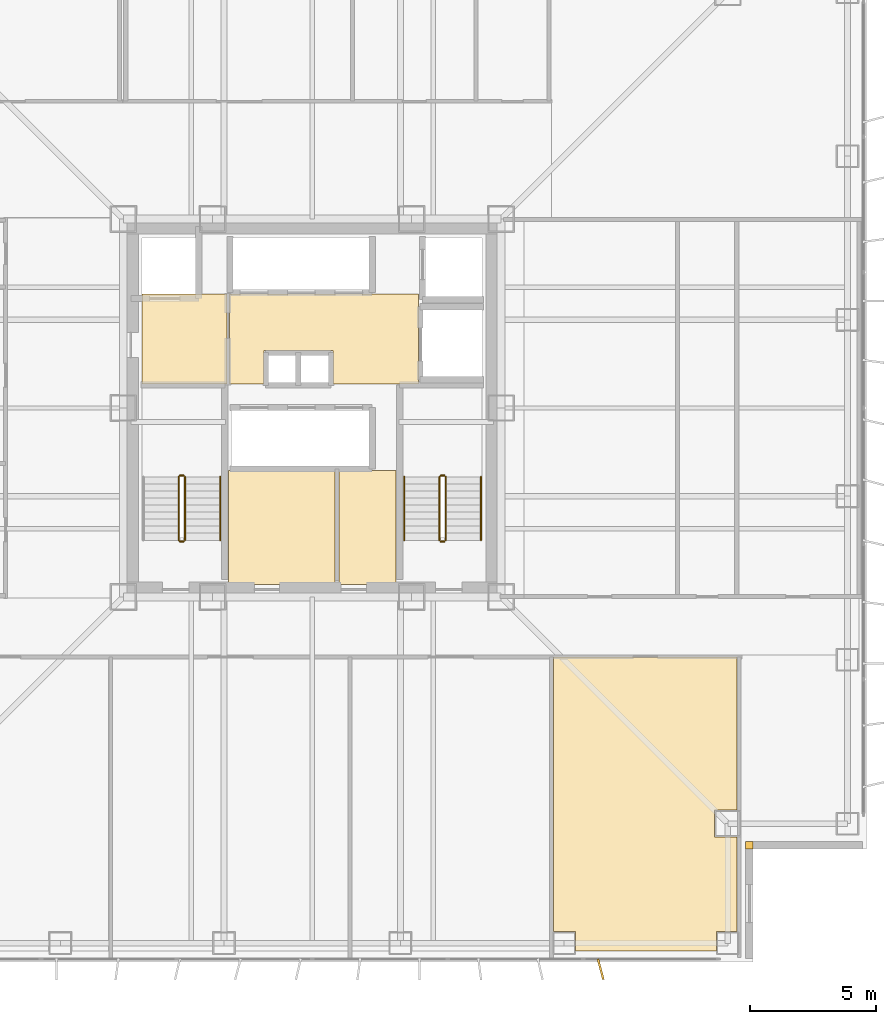
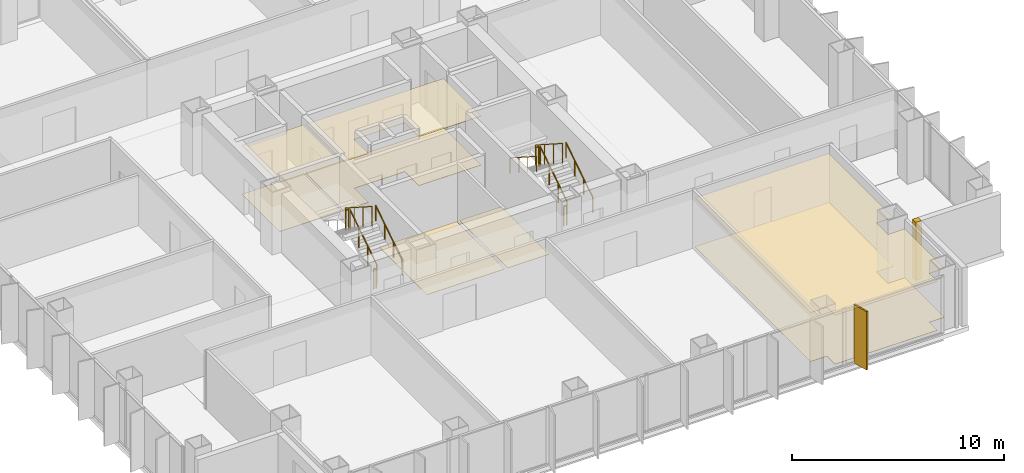
# One storey, part 13 of 14: 11 railings, 9 coverings, 1 shading device.
"""IFC4 building model written with IfcOpenShell, lengths in metres."""

from ifc_helpers import new_model, si_unit, direction, frame, origin, origin_2d, place, context, subcontext, project, spatial, polyline, rectangle, circle, outline, extrude, material, layer, layer_set, type_object, element, save


model = new_model("IFC4")

# Units and contexts
model_context = context("Model", 3, precision=1e-05, world=origin(), true_north=direction((0.0, 1.0)))
body_context = subcontext(model_context, "Body", "Model", "MODEL_VIEW")
ifc_project = project(units=[si_unit("LENGTHUNIT", "METRE"), si_unit("AREAUNIT", "SQUARE_METRE"), si_unit("VOLUMEUNIT", "CUBIC_METRE"), si_unit("PLANEANGLEUNIT", "RADIAN"), si_unit("MASSUNIT", "GRAM", prefix="KILO")], contexts=[model_context])

# Site, building, storey
site_placement = place(None, origin())
site = spatial("IfcSite", under=ifc_project, at=site_placement, CompositionType="ELEMENT")
building_placement = place(site_placement, origin())
building = spatial("IfcBuilding", under=site, at=building_placement, Name="Trevonay Congress Spire", CompositionType="ELEMENT")
storey_placement = place(building_placement, frame((0.0, 0.0, 137.199951171875)))
storey = spatial("IfcBuildingStorey", under=building, at=storey_placement, Name="L35", CompositionType="ELEMENT", Elevation=137.199951171875)

# Coverings
ifc_material_1 = material(Name="Acoustic Mineral Fibre Board", Category="gypsum")
ifc_layer_1 = layer(ifc_material_1, 0.02490234375, Name="Acoustic Mineral Fibre Board")
ifc_layer_set_1 = layer_set([ifc_layer_1], Name="Acoustic Mineral Fibre Board")
covering_type_1 = type_object("IfcCoveringType", Name="COV-CEIL-ACOUSTIC", PredefinedType="CEILING", material=ifc_layer_set_1)
covering_1_placement = place(storey_placement, frame((0.0, 0.0, 2.81005859375)))
element("IfcCovering", 1, at=covering_1_placement, inside=storey, type_object=covering_type_1, Name="L35 Firefighting Lift Lobby West acoustic suspended ceiling", PredefinedType="CEILING", context=body_context, shape_type="SweptSolid", body=[
    extrude(outline(polyline([(-6.75, 0.9599609375), (-3.3798828125, 0.9599609375), (-3.3798828125, 4.52001953125), (-6.75, 4.52001953125), (-6.75, 0.9599609375)])), origin(), (0.0, 0.0, 1.0), 0.02490234375),
])
covering_2_placement = place(storey_placement, frame((0.0, 0.0, 2.81005859375)))
element("IfcCovering", 2, at=covering_2_placement, inside=storey, type_object=covering_type_1, Name="L35 Central and High-Rise Passenger Lift Lobby acoustic suspended ceiling", PredefinedType="CEILING", context=body_context, shape_type="SweptSolid", body=[
    extrude(outline(polyline([(-3.280029296875, 0.949951171875), (-1.919921875, 0.949951171875), (-1.919921875, 2.280029296875), (0.820068359375, 2.280029296875), (0.820068359375, 0.949951171875), (4.219970703125, 0.949951171875), (4.219970703125, 4.52001953125), (-3.280029296875, 4.52001953125), (-3.280029296875, 0.949951171875)])), origin(), (0.0, 0.0, 1.0), 0.02490234375),
])
covering_3_placement = place(storey_placement, frame((0.0, 0.0, 2.81005859375)))
element("IfcCovering", 3, at=covering_3_placement, inside=storey, type_object=covering_type_1, Name="L35 Library Catalogue Office acoustic suspended ceiling", PredefinedType="CEILING", context=body_context, shape_type="SweptSolid", body=[
    extrude(outline(polyline([(10.4599609375, -21.550048828125), (10.4599609375, -20.7900390625), (9.580078125, -20.7900390625), (9.580078125, -9.8798828125), (16.8701171875, -9.8798828125), (16.8701171875, -15.965087890625), (15.965087890625, -15.965087890625), (15.965087890625, -17.034912109375), (16.8701171875, -17.034912109375), (16.8701171875, -20.7900390625), (16.0400390625, -20.7900390625), (16.0400390625, -21.550048828125), (10.4599609375, -21.550048828125)])), origin(), (0.0, 0.0, 1.0), 0.02490234375),
])
ifc_material_2 = material(Name="Polished Granite Floor Tile", Category="masonry")
ifc_layer_2 = layer(ifc_material_2, 0.02001953125, Name="Polished Granite Floor Tile")
ifc_layer_set_2 = layer_set([ifc_layer_2], Name="Polished Granite Floor Tile")
covering_type_2 = type_object("IfcCoveringType", Name="COV-FLOOR-STONE", PredefinedType="FLOORING", material=ifc_layer_set_2)
covering_4_placement = place(storey_placement, origin())
element("IfcCovering", 4, at=covering_4_placement, inside=storey, type_object=covering_type_2, Name="L35 Firefighting Lift Lobby West floor finish", PredefinedType="FLOORING", context=body_context, shape_type="SweptSolid", body=[
    extrude(outline(polyline([(-6.75, 0.9599609375), (-3.3798828125, 0.9599609375), (-3.3798828125, 4.52001953125), (-6.75, 4.52001953125), (-6.75, 0.9599609375)])), origin(), (0.0, 0.0, 1.0), 0.02001953125),
])
covering_5_placement = place(storey_placement, origin())
element("IfcCovering", 5, at=covering_5_placement, inside=storey, type_object=covering_type_2, Name="L35 Central and High-Rise Passenger Lift Lobby floor finish", PredefinedType="FLOORING", context=body_context, shape_type="SweptSolid", body=[
    extrude(outline(polyline([(-3.280029296875, 0.949951171875), (-1.919921875, 0.949951171875), (-1.919921875, 2.280029296875), (0.820068359375, 2.280029296875), (0.820068359375, 0.949951171875), (4.219970703125, 0.949951171875), (4.219970703125, 4.52001953125), (-3.280029296875, 4.52001953125), (-3.280029296875, 0.949951171875)])), origin(), (0.0, 0.0, 1.0), 0.02001953125),
])
covering_6_placement = place(storey_placement, origin())
element("IfcCovering", 6, at=covering_6_placement, inside=storey, type_object=covering_type_2, Name="L35 Translation Equipment Hub floor finish", PredefinedType="FLOORING", context=body_context, shape_type="SweptSolid", body=[
    extrude(outline(polyline([(-3.320068359375, -7.0), (0.89990234375, -7.0), (0.89990234375, -2.47998046875), (-3.320068359375, -2.47998046875), (-3.320068359375, -7.0)])), origin(), (0.0, 0.0, 1.0), 0.02001953125),
])
covering_7_placement = place(storey_placement, origin())
element("IfcCovering", 7, at=covering_7_placement, inside=storey, type_object=covering_type_2, Name="L35 Floor Supplies Store floor finish", PredefinedType="FLOORING", context=body_context, shape_type="SweptSolid", body=[
    extrude(outline(polyline([(1.06005859375, -7.0), (3.320068359375, -7.0), (3.320068359375, -2.47998046875), (1.06005859375, -2.47998046875), (1.06005859375, -7.0)])), origin(), (0.0, 0.0, 1.0), 0.02001953125),
])
ifc_material_3 = material(Name="Engineered Oak Flooring", Category="wood")
ifc_layer_3 = layer(ifc_material_3, 0.01806640625, Name="Engineered Oak Flooring")
ifc_layer_set_3 = layer_set([ifc_layer_3], Name="Engineered Oak Flooring")
covering_type_3 = type_object("IfcCoveringType", Name="COV-FLOOR-TIMBER", PredefinedType="FLOORING", material=ifc_layer_set_3)
covering_8_placement = place(storey_placement, origin())
element("IfcCovering", 8, at=covering_8_placement, inside=storey, type_object=covering_type_3, Name="L35 Library Catalogue Office floor finish", PredefinedType="FLOORING", context=body_context, shape_type="SweptSolid", body=[
    extrude(outline(polyline([(10.4599609375, -21.550048828125), (10.4599609375, -20.7900390625), (9.580078125, -20.7900390625), (9.580078125, -9.8798828125), (16.8701171875, -9.8798828125), (16.8701171875, -15.965087890625), (15.965087890625, -15.965087890625), (15.965087890625, -17.034912109375), (16.8701171875, -17.034912109375), (16.8701171875, -20.7900390625), (16.0400390625, -20.7900390625), (16.0400390625, -21.550048828125), (10.4599609375, -21.550048828125)])), origin(), (0.0, 0.0, 1.0), 0.01806640625),
])
ifc_material_4 = material(Name="Pale Anodised Aluminium EN AW-6063-T6", Category="aluminium")
ifc_layer_4 = layer(ifc_material_4, 0.0400390625, Name="Pale Anodised Aluminium EN AW-6063-T6")
ifc_layer_set_4 = layer_set([ifc_layer_4], Name="Pale Anodised Aluminium EN AW-6063-T6")
covering_type_4 = type_object("IfcCoveringType", Name="COV-SPANDREL-PALE-METAL", PredefinedType="CLADDING", material=ifc_layer_set_4)
covering_9_placement = place(storey_placement, origin())
element("IfcCovering", 9, at=covering_9_placement, inside=storey, type_object=covering_type_4, Name="L35 SE re-entrant notch corner closure trim", PredefinedType="CLADDING", context=body_context, shape_type="SweptSolid", body=[
    extrude(outline(polyline([(17.199951171875, -17.5), (17.5, -17.5), (17.5, -17.199951171875), (17.199951171875, -17.199951171875), (17.199951171875, -17.5)])), origin(), (0.0, 0.0, 1.0), 3.360107421875),
])

# Railings
railing_type_1 = type_object("IfcRailingType", Name="RAL-STAIR-GUARD-110", PredefinedType="GUARDRAIL", material=ifc_material_4)
railing_1_placement = place(storey_placement, frame((-5.050048828125, -5.25, 0.179931640625)))
element("IfcRailing", 10, at=railing_1_placement, inside=storey, type_object=railing_type_1, Name="L35 ST-1 stair guard 1", PredefinedType="GUARDRAIL", context=body_context, shape_type="SweptSolid", body=[
    extrude(circle(Radius=0.02392578125, at=origin_2d()), frame((0.0, 0.0, 1.1259765625), z_axis=(0.0, 0.841162588446, 0.540782303519), x_axis=(-1.0, 0.0, 0.0)), (0.0, 0.0, 1.0), 2.995849609375),
    extrude(circle(Radius=0.02099609375, at=origin_2d()), origin(), (0.0, 0.0, 1.0), 1.101806640625),
    extrude(circle(Radius=0.02099609375, at=origin_2d()), frame((0.0, 0.840087890625, 0.5400390625)), (0.0, 0.0, 1.0), 1.101806640625),
    extrude(circle(Radius=0.02099609375, at=origin_2d()), frame((0.0, 1.679931640625, 1.080078125)), (0.0, 0.0, 1.0), 1.101806640625),
    extrude(circle(Radius=0.02099609375, at=origin_2d()), frame((0.0, 2.52001953125, 1.6201171875)), (0.0, 0.0, 1.0), 1.101806640625),
])
railing_2_placement = place(storey_placement, frame((-5.10009765625, -2.679931640625, 1.800048828125)))
element("IfcRailing", 11, at=railing_2_placement, inside=storey, type_object=railing_type_1, Name="L35 ST-1 stair guard 2", PredefinedType="GUARDRAIL", context=body_context, shape_type="SweptSolid", body=[
    extrude(circle(Radius=0.02392578125, at=origin_2d()), frame((0.0, 0.0, 1.1259765625), z_axis=(-1.0, 0.0, 0.0), x_axis=(0.0, -1.0, 0.0)), (0.0, 0.0, 1.0), 0.14990234375),
    extrude(circle(Radius=0.02099609375, at=origin_2d()), origin(), (0.0, 0.0, 1.0), 1.101806640625),
    extrude(circle(Radius=0.02099609375, at=origin_2d()), frame((-0.14990234375, 0.0, 0.0)), (0.0, 0.0, 1.0), 1.101806640625),
])
railing_3_placement = place(storey_placement, frame((-5.300048828125, -2.72998046875, 1.97998046875)))
element("IfcRailing", 12, at=railing_3_placement, inside=storey, type_object=railing_type_1, Name="L35 ST-1 stair guard 3", PredefinedType="GUARDRAIL", context=body_context, shape_type="SweptSolid", body=[
    extrude(circle(Radius=0.02392578125, at=origin_2d()), frame((0.0, 0.0, 1.1259765625), z_axis=(0.0, -0.841162588446, 0.540782303519), x_axis=(1.0, 0.0, 0.0)), (0.0, 0.0, 1.0), 2.995849609375),
    extrude(circle(Radius=0.02099609375, at=origin_2d()), origin(), (0.0, 0.0, 1.0), 1.101806640625),
    extrude(circle(Radius=0.02099609375, at=origin_2d()), frame((0.0, -0.840087890625, 0.5400390625)), (0.0, 0.0, 1.0), 1.101806640625),
    extrude(circle(Radius=0.02099609375, at=origin_2d()), frame((0.0, -1.679931640625, 1.080078125)), (0.0, 0.0, 1.0), 1.101806640625),
    extrude(circle(Radius=0.02099609375, at=origin_2d()), frame((0.0, -2.52001953125, 1.6201171875)), (0.0, 0.0, 1.0), 1.101806640625),
])
railing_4_placement = place(storey_placement, frame((-5.10009765625, -5.300048828125, 0.0)))
element("IfcRailing", 13, at=railing_4_placement, inside=storey, type_object=railing_type_1, Name="L35 ST-1 stair guard 4", PredefinedType="GUARDRAIL", context=body_context, shape_type="SweptSolid", body=[
    extrude(circle(Radius=0.02392578125, at=origin_2d()), frame((0.0, 0.0, 1.1259765625), z_axis=(-1.0, 0.0, 0.0), x_axis=(0.0, -1.0, 0.0)), (0.0, 0.0, 1.0), 0.14990234375),
    extrude(circle(Radius=0.02099609375, at=origin_2d()), origin(), (0.0, 0.0, 1.0), 1.101806640625),
    extrude(circle(Radius=0.02099609375, at=origin_2d()), frame((-0.14990234375, 0.0, 0.0)), (0.0, 0.0, 1.0), 1.101806640625),
])
railing_5_placement = place(storey_placement, frame((5.300048828125, -5.25, 0.179931640625)))
element("IfcRailing", 14, at=railing_5_placement, inside=storey, type_object=railing_type_1, Name="L35 ST-2 stair guard 1", PredefinedType="GUARDRAIL", context=body_context, shape_type="SweptSolid", body=[
    extrude(circle(Radius=0.02392578125, at=origin_2d()), frame((0.0, 0.0, 1.1259765625), z_axis=(0.0, 0.841162588446, 0.540782303519), x_axis=(-1.0, 0.0, 0.0)), (0.0, 0.0, 1.0), 2.995849609375),
    extrude(circle(Radius=0.02099609375, at=origin_2d()), origin(), (0.0, 0.0, 1.0), 1.101806640625),
    extrude(circle(Radius=0.02099609375, at=origin_2d()), frame((0.0, 0.840087890625, 0.5400390625)), (0.0, 0.0, 1.0), 1.101806640625),
    extrude(circle(Radius=0.02099609375, at=origin_2d()), frame((0.0, 1.679931640625, 1.080078125)), (0.0, 0.0, 1.0), 1.101806640625),
    extrude(circle(Radius=0.02099609375, at=origin_2d()), frame((0.0, 2.52001953125, 1.6201171875)), (0.0, 0.0, 1.0), 1.101806640625),
])
railing_6_placement = place(storey_placement, frame((5.25, -2.679931640625, 1.800048828125)))
element("IfcRailing", 15, at=railing_6_placement, inside=storey, type_object=railing_type_1, Name="L35 ST-2 stair guard 2", PredefinedType="GUARDRAIL", context=body_context, shape_type="SweptSolid", body=[
    extrude(circle(Radius=0.02392578125, at=origin_2d()), frame((0.0, 0.0, 1.1259765625), z_axis=(-1.0, 0.0, 0.0), x_axis=(0.0, -1.0, 0.0)), (0.0, 0.0, 1.0), 0.14990234375),
    extrude(circle(Radius=0.02099609375, at=origin_2d()), origin(), (0.0, 0.0, 1.0), 1.101806640625),
    extrude(circle(Radius=0.02099609375, at=origin_2d()), frame((-0.14990234375, 0.0, 0.0)), (0.0, 0.0, 1.0), 1.101806640625),
])
railing_7_placement = place(storey_placement, frame((5.050048828125, -2.72998046875, 1.97998046875)))
element("IfcRailing", 16, at=railing_7_placement, inside=storey, type_object=railing_type_1, Name="L35 ST-2 stair guard 3", PredefinedType="GUARDRAIL", context=body_context, shape_type="SweptSolid", body=[
    extrude(circle(Radius=0.02392578125, at=origin_2d()), frame((0.0, 0.0, 1.1259765625), z_axis=(0.0, -0.841162588446, 0.540782303519), x_axis=(1.0, 0.0, 0.0)), (0.0, 0.0, 1.0), 2.995849609375),
    extrude(circle(Radius=0.02099609375, at=origin_2d()), origin(), (0.0, 0.0, 1.0), 1.101806640625),
    extrude(circle(Radius=0.02099609375, at=origin_2d()), frame((0.0, -0.840087890625, 0.5400390625)), (0.0, 0.0, 1.0), 1.101806640625),
    extrude(circle(Radius=0.02099609375, at=origin_2d()), frame((0.0, -1.679931640625, 1.080078125)), (0.0, 0.0, 1.0), 1.101806640625),
    extrude(circle(Radius=0.02099609375, at=origin_2d()), frame((0.0, -2.52001953125, 1.6201171875)), (0.0, 0.0, 1.0), 1.101806640625),
])
railing_8_placement = place(storey_placement, frame((5.25, -5.300048828125, 0.0)))
element("IfcRailing", 17, at=railing_8_placement, inside=storey, type_object=railing_type_1, Name="L35 ST-2 stair guard 4", PredefinedType="GUARDRAIL", context=body_context, shape_type="SweptSolid", body=[
    extrude(circle(Radius=0.02392578125, at=origin_2d()), frame((0.0, 0.0, 1.1259765625), z_axis=(-1.0, 0.0, 0.0), x_axis=(0.0, -1.0, 0.0)), (0.0, 0.0, 1.0), 0.14990234375),
    extrude(circle(Radius=0.02099609375, at=origin_2d()), origin(), (0.0, 0.0, 1.0), 1.101806640625),
    extrude(circle(Radius=0.02099609375, at=origin_2d()), frame((-0.14990234375, 0.0, 0.0)), (0.0, 0.0, 1.0), 1.101806640625),
])
railing_type_2 = type_object("IfcRailingType", Name="RAL-STAIR-HANDRAIL", PredefinedType="HANDRAIL", material=ifc_material_4)
for number, where, name in (
    (18, (-3.64990234375, -5.25, 0.179931640625), "L35 ST-1 stair handrail 1"),
    (19, (6.699951171875, -5.25, 0.179931640625), "L35 ST-2 stair handrail 1"),
):
    element("IfcRailing", number, at=place(storey_placement, frame(where)), inside=storey, type_object=railing_type_2, Name=name, PredefinedType="HANDRAIL", context=body_context, shape_type="SweptSolid", body=[
        extrude(circle(Radius=0.02392578125, at=origin_2d()), frame((0.0, 0.0, 0.8759765625), z_axis=(0.0, 0.841162588446, 0.540782303519), x_axis=(-1.0, 0.0, 0.0)), (0.0, 0.0, 1.0), 2.995849609375),
        extrude(circle(Radius=0.02099609375, at=origin_2d()), origin(), (0.0, 0.0, 1.0), 0.851806640625),
        extrude(circle(Radius=0.02099609375, at=origin_2d()), frame((0.0, 0.840087890625, 0.5400390625)), (0.0, 0.0, 1.0), 0.851806640625),
        extrude(circle(Radius=0.02099609375, at=origin_2d()), frame((0.0, 1.679931640625, 1.080078125)), (0.0, 0.0, 1.0), 0.851806640625),
        extrude(circle(Radius=0.02099609375, at=origin_2d()), frame((0.0, 2.52001953125, 1.6201171875)), (0.0, 0.0, 1.0), 0.851806640625),
    ])
railing_9_placement = place(storey_placement, frame((3.64990234375, -2.72998046875, 1.97998046875)))
element("IfcRailing", 20, at=railing_9_placement, inside=storey, type_object=railing_type_2, Name="L35 ST-2 stair handrail 2", PredefinedType="HANDRAIL", context=body_context, shape_type="SweptSolid", body=[
    extrude(circle(Radius=0.02392578125, at=origin_2d()), frame((0.0, 0.0, 0.8759765625), z_axis=(0.0, -0.841162588446, 0.540782303519), x_axis=(1.0, 0.0, 0.0)), (0.0, 0.0, 1.0), 2.995849609375),
    extrude(circle(Radius=0.02099609375, at=origin_2d()), origin(), (0.0, 0.0, 1.0), 0.851806640625),
    extrude(circle(Radius=0.02099609375, at=origin_2d()), frame((0.0, -0.840087890625, 0.5400390625)), (0.0, 0.0, 1.0), 0.851806640625),
    extrude(circle(Radius=0.02099609375, at=origin_2d()), frame((0.0, -1.679931640625, 1.080078125)), (0.0, 0.0, 1.0), 0.851806640625),
    extrude(circle(Radius=0.02099609375, at=origin_2d()), frame((0.0, -2.52001953125, 1.6201171875)), (0.0, 0.0, 1.0), 0.851806640625),
])

# Shading device
shading_device_type = type_object("IfcShadingDeviceType", Name="SHD-FIN-Z2-PALE-METAL", PredefinedType="USERDEFINED", material=ifc_material_4)
shading_device_placement = place(storey_placement, frame((11.449951171875, -22.280029296875, 0.0), z_axis=(0.0, 0.0, 1.0), x_axis=(0.965925826289, 0.258819045103, 0.0)))
element("IfcShadingDevice", 21, at=shading_device_placement, inside=storey, type_object=shading_device_type, Name="L35 S vertical pale-metal solar fin 12", ObjectType="SOLAR FIN", PredefinedType="USERDEFINED", context=body_context, shape_type="SweptSolid", body=[
    extrude(rectangle(XDim=0.080078125, YDim=0.85009765625, at=origin_2d()), origin(), (0.0, 0.0, 1.0), 3.360107421875),
])

save(model, "model.ifc")
